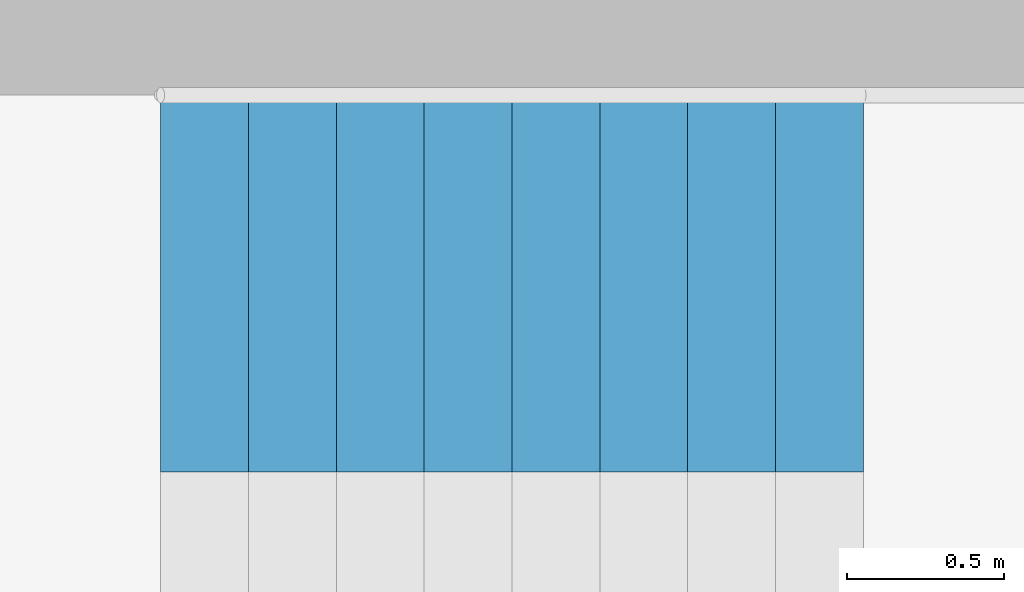
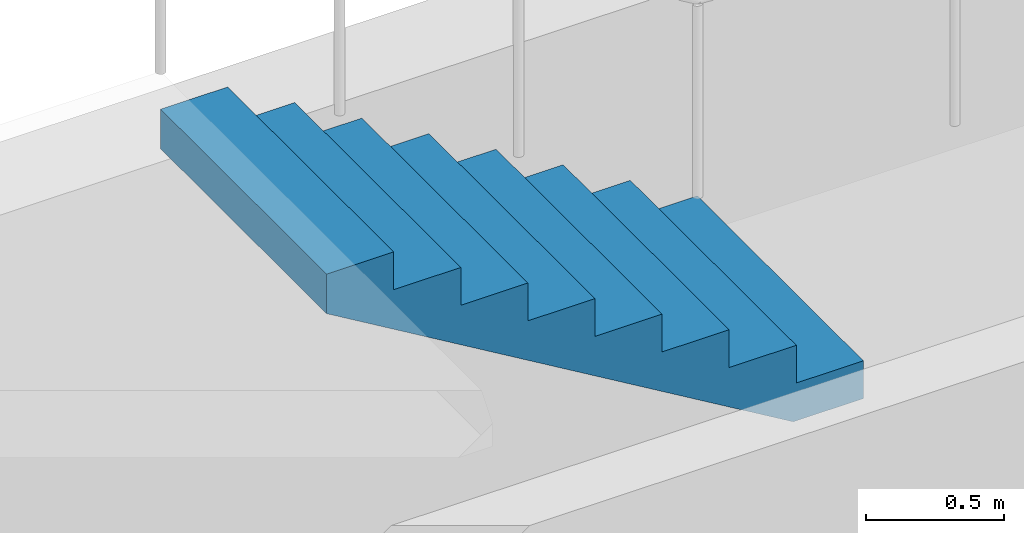
# One storey, part 9 of 11: 1 stair flight, 1 element without a shape of its own.
"""IFC4 building model written with IfcOpenShell, lengths in metres."""

from ifc_helpers import new_model, si_unit, direction, frame, origin, place, context, subcontext, project, spatial, polyline, outline, extrude, material, type_object, element, aggregate, save


model = new_model("IFC4")

# Units and contexts
model_context = context("Model", 3, precision=1e-05, world=origin(), true_north=direction((0.0, 1.0)))
body_context = subcontext(model_context, "Body", "Model", "MODEL_VIEW")
ifc_project = project(units=[si_unit("LENGTHUNIT", "METRE"), si_unit("AREAUNIT", "SQUARE_METRE"), si_unit("VOLUMEUNIT", "CUBIC_METRE"), si_unit("PLANEANGLEUNIT", "RADIAN"), si_unit("MASSUNIT", "GRAM", prefix="KILO")], contexts=[model_context])

# Site, building, storey
site_placement = place(None, origin())
site = spatial("IfcSite", under=ifc_project, at=site_placement, CompositionType="ELEMENT")
building_placement = place(site_placement, origin())
building = spatial("IfcBuilding", under=site, at=building_placement, Name="Fustian Cross Tower", CompositionType="ELEMENT")
storey_placement = place(building_placement, frame((0.0, 0.0, 173.699951171875)))
storey = spatial("IfcBuildingStorey", under=building, at=storey_placement, Name="L54", CompositionType="ELEMENT", Elevation=173.699951171875)

# Stair, stair flight
ifc_material_1 = material(Name="Concrete C50/60", Category="concrete")
stair_type = type_object("IfcStairType", Name="STAIR 1200 HALF TURN", PredefinedType="HALF_TURN_STAIR", material=ifc_material_1)
stair_placement = place(storey_placement, origin())
stair = element("IfcStair", 1, at=stair_placement, inside=storey, type_object=stair_type, Name="Stair ST1", PredefinedType="HALF_TURN_STAIR")
ifc_material_2 = material(Name="Concrete C50/60", Category="concrete")
stair_flight_type = type_object("IfcStairFlightType", Name="STAIR FLIGHT 1200", PredefinedType="STRAIGHT", material=ifc_material_2)
stair_flight_placement = place(storey_placement, frame((17.590087890625, 6.199951171875, 1.5), z_axis=(0.0, 0.0, 1.0), x_axis=(-1.0, 0.0, 0.0)))
stair_flight = element("IfcStairFlight", 2, at=stair_flight_placement, type_object=stair_flight_type, Name="ST1 flight 2", NumberOfRisers=9, NumberOfTreads=8, PredefinedType="STRAIGHT", RiserHeight=0.166666667, TreadLength=0.28, context=body_context, shape_type="SweptSolid", body=[
    extrude(outline(polyline([(0.0, 0.0), (0.0, 0.166748046875), (0.280029296875, 0.166748046875), (0.280029296875, 0.333251953125), (0.56005859375, 0.333251953125), (0.56005859375, 0.5), (0.840087890625, 0.5), (0.840087890625, 0.666748046875), (1.1201171875, 0.666748046875), (1.1201171875, 0.833251953125), (1.39990234375, 0.833251953125), (1.39990234375, 1.0), (1.679931640625, 1.0), (1.679931640625, 1.166748046875), (1.9599609375, 1.166748046875), (1.9599609375, 1.333251953125), (2.239990234375, 1.333251953125), (2.239990234375, 1.5), (2.239990234375, 1.158935546875), (0.29296875, 0.0), (0.0, 0.0)])), frame((0.0, 0.60009765625, 0.0), z_axis=(0.0, -1.0, 0.0), x_axis=(1.0, 0.0, 0.0)), (0.0, 0.0, 1.0), 1.199951171875),
])
aggregate(stair, [stair_flight])

save(model, "model.ifc")
